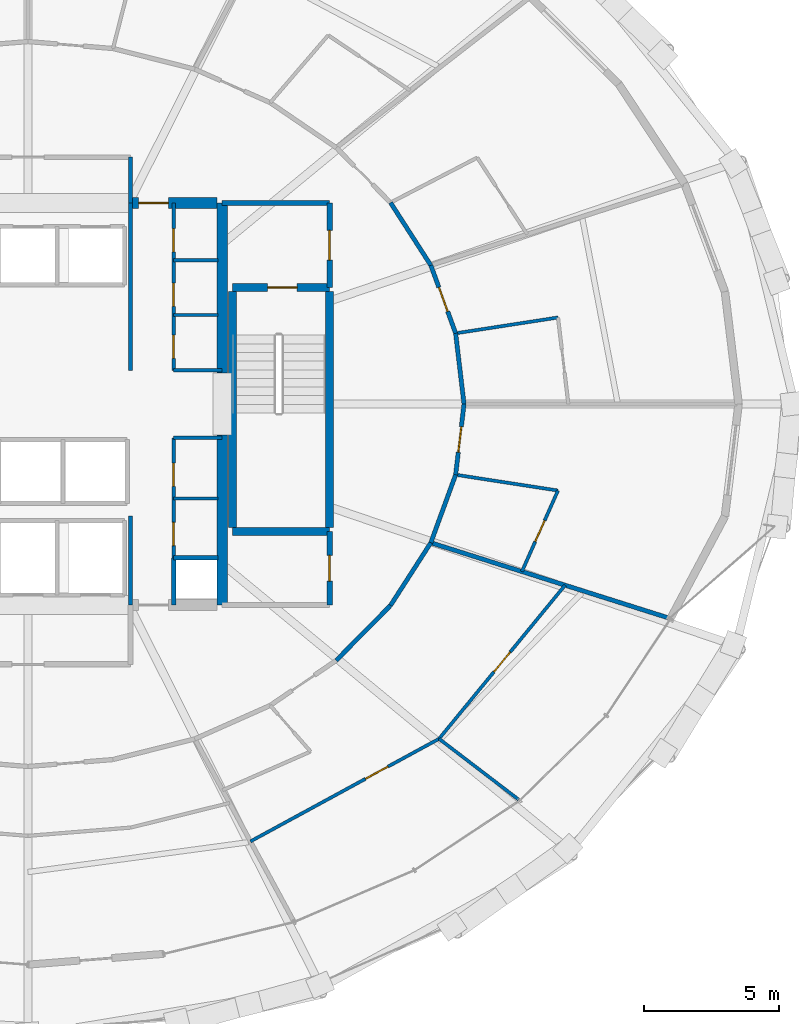
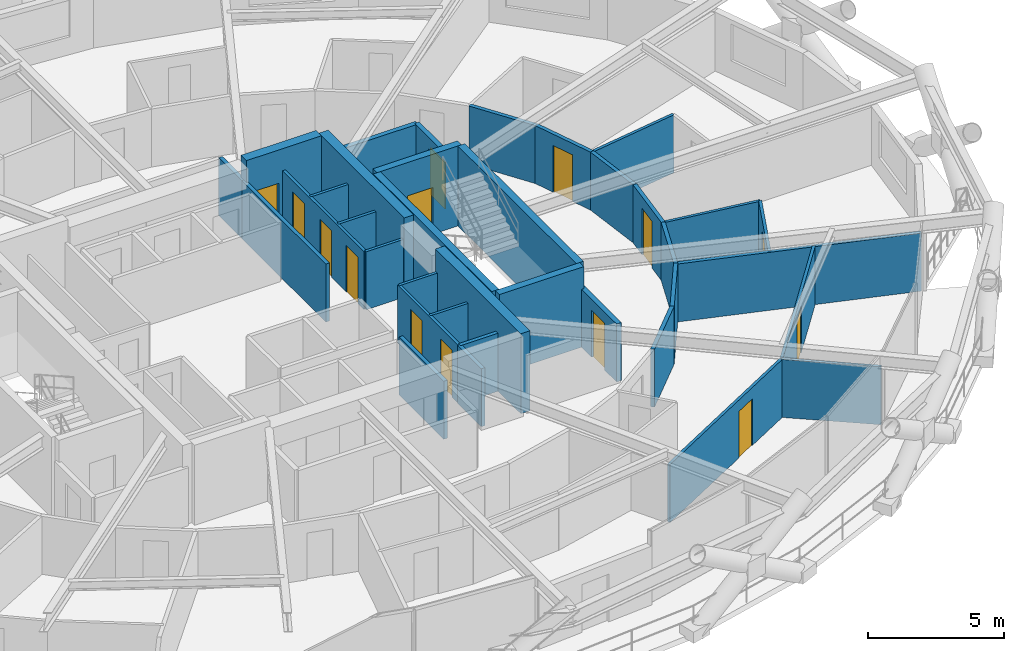
# One storey, part 16 of 20: 36 walls, 14 doors, 14 openings.
"""IFC4 building model written with IfcOpenShell, lengths in metres."""

from ifc_helpers import new_model, si_unit, direction, frame, frame_2d, origin, place, context, subcontext, project, spatial, rectangle, extrude, material, layer, layer_set, type_object, element, fill, save


model = new_model("IFC4")

# Units and contexts
model_context = context("Model", 3, precision=1e-05, world=origin(), true_north=direction((0.0, 1.0)))
body_context = subcontext(model_context, "Body", "Model", "MODEL_VIEW")
ifc_project = project(units=[si_unit("LENGTHUNIT", "METRE"), si_unit("AREAUNIT", "SQUARE_METRE"), si_unit("VOLUMEUNIT", "CUBIC_METRE"), si_unit("PLANEANGLEUNIT", "RADIAN"), si_unit("MASSUNIT", "GRAM", prefix="KILO")], contexts=[model_context])

# Site, building, storey
site_placement = place(None, origin())
site = spatial("IfcSite", under=ifc_project, at=site_placement, CompositionType="ELEMENT")
building_placement = place(site_placement, origin())
building = spatial("IfcBuilding", under=site, at=building_placement, Name="Veldorina Hangang Commons", CompositionType="ELEMENT")
storey_placement = place(building_placement, frame((0.0, 0.0, 48.39990234375)))
storey = spatial("IfcBuildingStorey", under=building, at=storey_placement, Name="L11", CompositionType="ELEMENT", Elevation=48.39990234375)

# Walls
ifc_material_1 = material(Name="Concrete C70/85", Category="concrete")
ifc_layer_1 = layer(ifc_material_1, 0.39990234375)
ifc_layer_set_1 = layer_set([ifc_layer_1], Name="Concrete C70/85")
wall_type_1 = type_object("IfcWallType", Name="CW-RC400-C70", PredefinedType="SHEAR", material=ifc_layer_set_1)
for number, where, z_axis, x_axis, name in (
    (1, (39.199951171875, 16.550048828125, 0.0), (0.0, 0.0, 1.0), (0.0, 1.0, 0.0), "L11 E south core shear wall"),
    (2, (39.199951171875, 25.14990234375, 0.0), (0.0, 0.0, 1.0), (0.0, 1.0, 0.0), "L11 E north core shear wall"),
):
    element("IfcWall", number, at=place(storey_placement, frame(where, z_axis=z_axis, x_axis=x_axis)), inside=storey, type_object=wall_type_1, Name=name, PredefinedType="SHEAR", context=body_context, shape_type="SweptSolid", body=[
        extrude(rectangle(XDim=6.300048828125, YDim=0.39990234375, at=frame_2d((3.14990234375, 0.0))), origin(), (0.0, 0.0, 1.0), 3.60009765625),
    ])

# Wall, opening, door
wall_1_placement = place(storey_placement, frame((35.800048828125, 31.449951171875, 0.0), z_axis=(0.0, 0.0, 1.0), x_axis=(1.0, 0.0, 0.0)))
wall_1 = element("IfcWall", 3, at=wall_1_placement, inside=storey, type_object=wall_type_1, Name="L11 north-east core shear wall", PredefinedType="SHEAR", context=body_context, shape_type="SweptSolid", body=[
    extrude(rectangle(XDim=3.199951171875, YDim=0.39990234375, at=frame_2d((1.60009765625, 0.0))), origin(), (0.0, 0.0, 1.0), 3.60009765625),
])
opening_1_placement = place(wall_1_placement, frame((0.300048828125, 0.0, 0.0)))
opening_1 = element("IfcOpeningElement", 4, at=opening_1_placement, cuts=wall_1, Name="Opening D-08", PredefinedType="OPENING", context=body_context, shape_type="SweptSolid", body=[
    extrude(rectangle(XDim=1.10009765625, YDim=2.10009765625, at=frame_2d((0.550048828125, 1.050048828125))), frame((0.0, 0.2099609375, 0.0), z_axis=(0.0, -1.0, 0.0), x_axis=(1.0, 0.0, 0.0)), (0.0, 0.0, 1.0), 0.419921875),
])
ifc_material_2 = material(Name="Steel Fire-Rated Smoke Seal", Category="steel")
door_type_1 = type_object("IfcDoorType", Name="DR-FIRE-1100", OperationType="SINGLE_SWING_RIGHT", PredefinedType="DOOR", material=ifc_material_2)
door_1_placement = place(opening_1_placement, origin())
door_1 = element("IfcDoor", 5, at=door_1_placement, inside=storey, type_object=door_type_1, Name="L11 central lift lobby north corridor door", OperationType="SINGLE_SWING_LEFT", OverallHeight=2.10009765625, OverallWidth=1.10009765625, PredefinedType="DOOR", context=body_context, shape_type="SweptSolid", body=[
    extrude(rectangle(XDim=1.10009765625, YDim=2.10009765625, at=frame_2d((0.550048828125, 1.050048828125))), frame((0.0, 0.02490234375, 0.0), z_axis=(0.0, -1.0, 0.0), x_axis=(1.0, 0.0, 0.0)), (0.0, 0.0, 1.0), 0.050048828125),
])
fill(opening_1, door_1)

# Walls
ifc_material_3 = material(Name="Concrete C50/60", Category="concrete")
ifc_layer_2 = layer(ifc_material_3, 0.300048828125)
ifc_layer_set_2 = layer_set([ifc_layer_2], Name="Concrete C50/60")
wall_type_2 = type_object("IfcWallType", Name="SW-STAIR-300", PredefinedType="SHEAR", material=ifc_layer_set_2)
for number, where, z_axis, x_axis, name in (
    (6, (43.179931640625, 19.429931640625, 0.0), (0.0, 0.0, 1.0), (0.0, 1.0, 0.0), "L11 ST2 outer stair shear wall"),
    (7, (39.580078125, 19.429931640625, 0.0), (0.0, 0.0, 1.0), (0.0, 1.0, 0.0), "L11 ST2 inner stair shear wall"),
):
    element("IfcWall", number, at=place(storey_placement, frame(where, z_axis=z_axis, x_axis=x_axis)), inside=storey, type_object=wall_type_2, Name=name, PredefinedType="SHEAR", context=body_context, shape_type="SweptSolid", body=[
        extrude(rectangle(XDim=8.739990234375, YDim=0.300048828125, at=frame_2d((4.3701171875, 0.0))), origin(), (0.0, 0.0, 1.0), 3.60009765625),
    ])
wall_2_placement = place(storey_placement, frame((39.580078125, 19.280029296875, 0.0), z_axis=(0.0, 0.0, 1.0), x_axis=(1.0, 0.0, 0.0)))
element("IfcWall", 8, at=wall_2_placement, inside=storey, type_object=wall_type_2, Name="L11 ST2 south stair shear wall", PredefinedType="SHEAR", context=body_context, shape_type="SweptSolid", body=[
    extrude(rectangle(XDim=3.599853515625, YDim=0.300048828125, at=frame_2d((1.7998046875, 0.0))), origin(), (0.0, 0.0, 1.0), 3.60009765625),
])

# Wall, opening, door
wall_3_placement = place(storey_placement, frame((39.580078125, 28.320068359375, 0.0), z_axis=(0.0, 0.0, 1.0), x_axis=(1.0, 0.0, 0.0)))
wall_3 = element("IfcWall", 9, at=wall_3_placement, inside=storey, type_object=wall_type_2, Name="L11 ST2 north stair shear wall", PredefinedType="SHEAR", context=body_context, shape_type="SweptSolid", body=[
    extrude(rectangle(XDim=3.599853515625, YDim=0.300048828125, at=frame_2d((1.7998046875, 0.0))), origin(), (0.0, 0.0, 1.0), 3.60009765625),
])
opening_2_placement = place(wall_3_placement, frame((1.300048828125, 0.0, 0.0)))
opening_2 = element("IfcOpeningElement", 10, at=opening_2_placement, cuts=wall_3, Name="Opening D-08", PredefinedType="OPENING", context=body_context, shape_type="SweptSolid", body=[
    extrude(rectangle(XDim=1.10009765625, YDim=2.10009765625, at=frame_2d((0.550048828125, 1.050048828125))), frame((0.0, 0.16015625, 0.0), z_axis=(0.0, -1.0, 0.0), x_axis=(1.0, 0.0, 0.0)), (0.0, 0.0, 1.0), 0.320068359375),
])
door_2_placement = place(opening_2_placement, origin())
door_2 = element("IfcDoor", 11, at=door_2_placement, inside=storey, type_object=door_type_1, Name="L11 Special Escape Stair ST-2 door", OperationType="SINGLE_SWING_RIGHT", OverallHeight=2.10009765625, OverallWidth=1.10009765625, PredefinedType="DOOR", context=body_context, shape_type="SweptSolid", body=[
    extrude(rectangle(XDim=1.10009765625, YDim=2.10009765625, at=frame_2d((0.550048828125, 1.050048828125))), frame((0.0, 0.02490234375, 0.0), z_axis=(0.0, -1.0, 0.0), x_axis=(1.0, 0.0, 0.0)), (0.0, 0.0, 1.0), 0.050048828125),
])
fill(opening_2, door_2)

# Walls
ifc_material_4 = material(Name="Gypsum Fire-Rated Twin Stud Wall", Category="gypsum")
ifc_layer_3 = layer(ifc_material_4, 0.159912109375)
ifc_layer_set_3 = layer_set([ifc_layer_3], Name="Gypsum Fire-Rated Twin Stud Wall")
wall_type_3 = type_object("IfcWallType", Name="WL-FIRE-160", PredefinedType="SOLIDWALL", material=ifc_layer_set_3)
wall_4_placement = place(storey_placement, frame((35.800048828125, 16.550048828125, 0.0), z_axis=(0.0, 0.0, 1.0), x_axis=(0.0, 1.0, 0.0)))
element("IfcWall", 12, at=wall_4_placement, inside=storey, type_object=wall_type_3, Name="L11 Lift passage SW wall 009", PredefinedType="SOLIDWALL", context=body_context, shape_type="SweptSolid", body=[
    extrude(rectangle(XDim=3.300048828125, YDim=0.159912109375, at=frame_2d((1.64990234375, 0.0))), origin(), (0.0, 0.0, 1.0), 2.610107421875),
])
wall_5_placement = place(storey_placement, frame((37.39990234375, 16.550048828125, 0.0), z_axis=(0.0, 0.0, 1.0), x_axis=(0.0, 1.0, 0.0)))
element("IfcWall", 13, at=wall_5_placement, inside=storey, type_object=wall_type_3, Name="L11 Lift passage SE stub 010", PredefinedType="SOLIDWALL", context=body_context, shape_type="SweptSolid", body=[
    extrude(rectangle(XDim=1.75, YDim=0.159912109375, at=frame_2d((0.875, 0.0))), origin(), (0.0, 0.0, 1.0), 2.610107421875),
])
wall_6_placement = place(storey_placement, frame((35.800048828125, 25.25, 0.0), z_axis=(0.0, 0.0, 1.0), x_axis=(0.0, 1.0, 0.0)))
element("IfcWall", 14, at=wall_6_placement, inside=storey, type_object=wall_type_3, Name="L11 Lift passage NW wall 011", PredefinedType="SOLIDWALL", context=body_context, shape_type="SweptSolid", body=[
    extrude(rectangle(XDim=6.199951171875, YDim=0.159912109375, at=frame_2d((3.10009765625, 0.0))), origin(), (0.0, 0.0, 1.0), 2.610107421875),
])
wall_7_placement = place(storey_placement, frame((35.800048828125, 31.449951171875, 0.0), z_axis=(0.0, 0.0, 1.0), x_axis=(0.0, 1.0, 0.0)))
element("IfcWall", 15, at=wall_7_placement, inside=storey, type_object=wall_type_3, Name="L11 North lobby east wall 033", PredefinedType="SOLIDWALL", context=body_context, shape_type="SweptSolid", body=[
    extrude(rectangle(XDim=1.699951171875, YDim=0.159912109375, at=frame_2d((0.85009765625, 0.0))), origin(), (0.0, 0.0, 1.0), 2.610107421875),
])
wall_8_placement = place(storey_placement, frame((37.39990234375, 18.300048828125, 0.0), z_axis=(0.0, 0.0, 1.0), x_axis=(1.0, 0.0, 0.0)))
element("IfcWall", 16, at=wall_8_placement, inside=storey, type_object=wall_type_3, Name="L11 Plumbing riser wall 037", PredefinedType="SOLIDWALL", context=body_context, shape_type="SweptSolid", body=[
    extrude(rectangle(XDim=1.650146484375, YDim=0.159912109375, at=frame_2d((0.8251953125, 0.0))), origin(), (0.0, 0.0, 1.0), 2.610107421875),
])
wall_9_placement = place(storey_placement, frame((48.162109375, 24.0, 0.0), z_axis=(0.0, 0.0, 1.0), x_axis=(-0.117667763342, 0.993053018459, 0.0)))
element("IfcWall", 17, at=wall_9_placement, inside=storey, type_object=wall_type_3, Name="L11 Corridor outer wall 00 050", PredefinedType="SOLIDWALL", context=body_context, shape_type="SweptSolid", body=[
    extrude(rectangle(XDim=2.63916015625, YDim=0.159912109375, at=frame_2d((1.319580078125, 0.0))), origin(), (0.0, 0.0, 1.0), 2.610107421875),
])

# Wall, opening, door
wall_10_placement = place(storey_placement, frame((47.8515625, 26.620849609375, 0.0), z_axis=(0.0, 0.0, 1.0), x_axis=(-0.342882618672, 0.939378257047, 0.0)))
wall_10 = element("IfcWall", 18, at=wall_10_placement, inside=storey, type_object=wall_type_3, Name="L11 Corridor outer wall 01 051", PredefinedType="SOLIDWALL", context=body_context, shape_type="SweptSolid", body=[
    extrude(rectangle(XDim=2.682861328125, YDim=0.159912109375, at=frame_2d((1.34130859375, 0.0))), origin(), (0.0, 0.0, 1.0), 2.610107421875),
])
opening_3_placement = place(wall_10_placement, frame((0.866455078125, 0.0, 0.0)))
opening_3 = element("IfcOpeningElement", 19, at=opening_3_placement, cuts=wall_10, Name="Opening D-03", PredefinedType="OPENING", context=body_context, shape_type="SweptSolid", body=[
    extrude(rectangle(XDim=0.949951171875, YDim=2.10009765625, at=frame_2d((0.47509765625, 1.050048828125))), frame((0.0, 0.08984375, 0.0), z_axis=(0.0, -1.0, 0.0), x_axis=(1.0, 0.0, 0.0)), (0.0, 0.0, 1.0), 0.179931640625),
])
ifc_material_5 = material(Name="Timber Fire-Rated Entrance Core", Category="wood")
door_type_2 = type_object("IfcDoorType", Name="DR-UNIT-950", OperationType="SINGLE_SWING_RIGHT", PredefinedType="DOOR", material=ifc_material_5)
door_3_placement = place(opening_3_placement, origin())
door_3 = element("IfcDoor", 20, at=door_3_placement, inside=storey, type_object=door_type_2, Name="L11 Studio 4 entrance door 031", OperationType="SINGLE_SWING_LEFT", OverallHeight=2.10009765625, OverallWidth=0.949951171875, PredefinedType="DOOR", context=body_context, shape_type="SweptSolid", body=[
    extrude(rectangle(XDim=0.949951171875, YDim=2.10009765625, at=frame_2d((0.47509765625, 1.050048828125))), frame((0.0, 0.02490234375, 0.0), z_axis=(0.0, -1.0, 0.0), x_axis=(1.0, 0.0, 0.0)), (0.0, 0.0, 1.0), 0.050048828125),
])
fill(opening_3, door_3)

# Walls
wall_11_placement = place(storey_placement, frame((46.931640625, 29.14111328125, 0.0), z_axis=(0.0, 0.0, 1.0), x_axis=(-0.540891657444, 0.841092274907, 0.0)))
element("IfcWall", 21, at=wall_11_placement, inside=storey, type_object=wall_type_3, Name="L11 Corridor outer wall 02 052", PredefinedType="SOLIDWALL", context=body_context, shape_type="SweptSolid", body=[
    extrude(rectangle(XDim=2.760986328125, YDim=0.159912109375, at=frame_2d((1.38037109375, 0.0))), origin(), (0.0, 0.0, 1.0), 2.610107421875),
])
wall_12_placement = place(storey_placement, frame((43.42822265625, 14.500732421875, 0.0), z_axis=(0.0, 0.0, 1.0), x_axis=(0.702569520063, 0.711615113301, 0.0)))
element("IfcWall", 22, at=wall_12_placement, inside=storey, type_object=wall_type_3, Name="L11 Corridor outer wall 28 078", PredefinedType="SOLIDWALL", context=body_context, shape_type="SweptSolid", body=[
    extrude(rectangle(XDim=2.86083984375, YDim=0.159912109375, at=frame_2d((1.430419921875, 0.0))), origin(), (0.0, 0.0, 1.0), 2.610107421875),
])
wall_13_placement = place(storey_placement, frame((45.438232421875, 16.53662109375, 0.0), z_axis=(0.0, 0.0, 1.0), x_axis=(0.540891657444, 0.841092274907, 0.0)))
element("IfcWall", 23, at=wall_13_placement, inside=storey, type_object=wall_type_3, Name="L11 Corridor outer wall 29 079", PredefinedType="SOLIDWALL", context=body_context, shape_type="SweptSolid", body=[
    extrude(rectangle(XDim=2.760986328125, YDim=0.159912109375, at=frame_2d((1.38037109375, 0.0))), origin(), (0.0, 0.0, 1.0), 2.610107421875),
])
wall_14_placement = place(storey_placement, frame((46.931640625, 18.85888671875, 0.0), z_axis=(0.0, 0.0, 1.0), x_axis=(0.342882618672, 0.939378257047, 0.0)))
element("IfcWall", 24, at=wall_14_placement, inside=storey, type_object=wall_type_3, Name="L11 Corridor outer wall 30 080", PredefinedType="SOLIDWALL", context=body_context, shape_type="SweptSolid", body=[
    extrude(rectangle(XDim=2.682861328125, YDim=0.159912109375, at=frame_2d((1.34130859375, 0.0))), origin(), (0.0, 0.0, 1.0), 2.610107421875),
])

# Wall, opening, door
wall_15_placement = place(storey_placement, frame((47.8515625, 21.379150390625, 0.0), z_axis=(0.0, 0.0, 1.0), x_axis=(0.117667763342, 0.993053018459, 0.0)))
wall_15 = element("IfcWall", 25, at=wall_15_placement, inside=storey, type_object=wall_type_3, Name="L11 Corridor outer wall 31 081", PredefinedType="SOLIDWALL", context=body_context, shape_type="SweptSolid", body=[
    extrude(rectangle(XDim=2.63916015625, YDim=0.159912109375, at=frame_2d((1.319580078125, 0.0))), origin(), (0.0, 0.0, 1.0), 2.610107421875),
])
opening_4_placement = place(wall_15_placement, frame((0.844482421875, 0.0, 0.0)))
opening_4 = element("IfcOpeningElement", 26, at=opening_4_placement, cuts=wall_15, Name="Opening D-03", PredefinedType="OPENING", context=body_context, shape_type="SweptSolid", body=[
    extrude(rectangle(XDim=0.949951171875, YDim=2.10009765625, at=frame_2d((0.47509765625, 1.050048828125))), frame((0.0, 0.08984375, 0.0), z_axis=(0.0, -1.0, 0.0), x_axis=(1.0, 0.0, 0.0)), (0.0, 0.0, 1.0), 0.179931640625),
])
door_4_placement = place(opening_4_placement, origin())
door_4 = element("IfcDoor", 27, at=door_4_placement, inside=storey, type_object=door_type_2, Name="L11 Studio 3 entrance door 029", OperationType="SINGLE_SWING_LEFT", OverallHeight=2.10009765625, OverallWidth=0.949951171875, PredefinedType="DOOR", context=body_context, shape_type="SweptSolid", body=[
    extrude(rectangle(XDim=0.949951171875, YDim=2.10009765625, at=frame_2d((0.47509765625, 1.050048828125))), frame((0.0, 0.02490234375, 0.0), z_axis=(0.0, -1.0, 0.0), x_axis=(1.0, 0.0, 0.0)), (0.0, 0.0, 1.0), 0.050048828125),
])
fill(opening_4, door_4)

# Wall
wall_16_placement = place(storey_placement, frame((46.931640625, 18.85888671875, 0.0), z_axis=(0.0, 0.0, 1.0), x_axis=(0.953436442202, -0.301594016322, 0.0)))
element("IfcWall", 28, at=wall_16_placement, inside=storey, type_object=wall_type_3, Name="L11 Unit party wall 30 092", PredefinedType="SOLIDWALL", context=body_context, shape_type="SweptSolid", body=[
    extrude(rectangle(XDim=9.26806640625, YDim=0.159912109375, at=frame_2d((4.634033203125, 0.0))), origin(), (0.0, 0.0, 1.0), 2.610107421875),
])

# Wall, opening, door
ifc_material_6 = material(Name="Concrete Blockwork Fire Wall C30/37", Category="masonry")
ifc_layer_4 = layer(ifc_material_6, 0.199951171875)
ifc_layer_set_4 = layer_set([ifc_layer_4], Name="Concrete Blockwork Fire Wall C30/37")
wall_type_4 = type_object("IfcWallType", Name="WL-FIRE-200", PredefinedType="SOLIDWALL", material=ifc_layer_set_4)
wall_17_placement = place(storey_placement, frame((43.179931640625, 28.320068359375, 0.0), z_axis=(0.0, 0.0, 1.0), x_axis=(0.0, 1.0, 0.0)))
wall_17 = element("IfcWall", 29, at=wall_17_placement, inside=storey, type_object=wall_type_4, Name="L11 East vestibule outer wall 003", PredefinedType="SOLIDWALL", context=body_context, shape_type="SweptSolid", body=[
    extrude(rectangle(XDim=3.1298828125, YDim=0.199951171875, at=frame_2d((1.56494140625, 0.0))), origin(), (0.0, 0.0, 1.0), 2.610107421875),
])
opening_5_placement = place(wall_17_placement, frame((1.014892578125, 0.0, 0.0)))
opening_5 = element("IfcOpeningElement", 30, at=opening_5_placement, cuts=wall_17, Name="Opening D-08", PredefinedType="OPENING", context=body_context, shape_type="SweptSolid", body=[
    extrude(rectangle(XDim=1.10009765625, YDim=2.10009765625, at=frame_2d((0.550048828125, 1.050048828125))), frame((0.0, 0.10986328125, 0.0), z_axis=(0.0, -1.0, 0.0), x_axis=(1.0, 0.0, 0.0)), (0.0, 0.0, 1.0), 0.219970703125),
])
door_5_placement = place(opening_5_placement, origin())
door_5 = element("IfcDoor", 31, at=door_5_placement, inside=storey, type_object=door_type_1, Name="L11 East vestibule east door 002", OperationType="SINGLE_SWING_RIGHT", OverallHeight=2.10009765625, OverallWidth=1.10009765625, PredefinedType="DOOR", context=body_context, shape_type="SweptSolid", body=[
    extrude(rectangle(XDim=1.10009765625, YDim=2.10009765625, at=frame_2d((0.550048828125, 1.050048828125))), frame((0.0, 0.02490234375, 0.0), z_axis=(0.0, -1.0, 0.0), x_axis=(1.0, 0.0, 0.0)), (0.0, 0.0, 1.0), 0.050048828125),
])
fill(opening_5, door_5)

# Wall
wall_18_placement = place(storey_placement, frame((39.199951171875, 31.449951171875, 0.0), z_axis=(0.0, 0.0, 1.0), x_axis=(1.0, 0.0, 0.0)))
element("IfcWall", 32, at=wall_18_placement, inside=storey, type_object=wall_type_4, Name="L11 East vestibule north wall 004", PredefinedType="SOLIDWALL", context=body_context, shape_type="SweptSolid", body=[
    extrude(rectangle(XDim=3.97998046875, YDim=0.199951171875, at=frame_2d((1.989990234375, 0.0))), origin(), (0.0, 0.0, 1.0), 2.610107421875),
])

# Wall, opening, door
wall_19_placement = place(storey_placement, frame((43.179931640625, 16.550048828125, 0.0), z_axis=(0.0, 0.0, 1.0), x_axis=(0.0, 1.0, 0.0)))
wall_19 = element("IfcWall", 33, at=wall_19_placement, inside=storey, type_object=wall_type_4, Name="L11 SE core room outer wall 007", PredefinedType="SOLIDWALL", context=body_context, shape_type="SweptSolid", body=[
    extrude(rectangle(XDim=2.72998046875, YDim=0.199951171875, at=frame_2d((1.364990234375, 0.0))), origin(), (0.0, 0.0, 1.0), 2.610107421875),
])
opening_6_placement = place(wall_19_placement, frame((0.889892578125, 0.0, 0.0)))
opening_6 = element("IfcOpeningElement", 34, at=opening_6_placement, cuts=wall_19, Name="Opening D-02", PredefinedType="OPENING", context=body_context, shape_type="SweptSolid", body=[
    extrude(rectangle(XDim=0.949951171875, YDim=2.10009765625, at=frame_2d((0.47509765625, 1.050048828125))), frame((0.0, 0.10986328125, 0.0), z_axis=(0.0, -1.0, 0.0), x_axis=(1.0, 0.0, 0.0)), (0.0, 0.0, 1.0), 0.219970703125),
])
ifc_material_7 = material(Name="Timber Solid Core Acoustic", Category="wood")
door_type_3 = type_object("IfcDoorType", Name="DR-INT-950", OperationType="SINGLE_SWING_LEFT", PredefinedType="DOOR", material=ifc_material_7)
door_6_placement = place(opening_6_placement, origin())
door_6 = element("IfcDoor", 35, at=door_6_placement, inside=storey, type_object=door_type_3, Name="L11 SE core WC door 004", OperationType="SINGLE_SWING_RIGHT", OverallHeight=2.10009765625, OverallWidth=0.949951171875, PredefinedType="DOOR", context=body_context, shape_type="SweptSolid", body=[
    extrude(rectangle(XDim=0.949951171875, YDim=2.10009765625, at=frame_2d((0.47509765625, 1.050048828125))), frame((0.0, 0.02490234375, 0.0), z_axis=(0.0, -1.0, 0.0), x_axis=(1.0, 0.0, 0.0)), (0.0, 0.0, 1.0), 0.050048828125),
])
fill(opening_6, door_6)

# Wall, openings, doors
ifc_material_8 = material(Name="Gypsum Acoustic Stud Partition", Category="gypsum")
ifc_layer_5 = layer(ifc_material_8, 0.1201171875)
ifc_layer_set_5 = layer_set([ifc_layer_5], Name="Gypsum Acoustic Stud Partition")
wall_type_5 = type_object("IfcWallType", Name="WL-PART-120", PredefinedType="PARTITIONING", material=ifc_layer_set_5)
wall_20_placement = place(storey_placement, frame((37.39990234375, 25.25, 0.0), z_axis=(0.0, 0.0, 1.0), x_axis=(0.0, 1.0, 0.0)))
wall_20 = element("IfcWall", 36, at=wall_20_placement, inside=storey, type_object=wall_type_5, Name="L11 NE strip lobby wall 041", PredefinedType="PARTITIONING", context=body_context, shape_type="SweptSolid", body=[
    extrude(rectangle(XDim=6.199951171875, YDim=0.1201171875, at=frame_2d((3.10009765625, 0.0))), origin(), (0.0, 0.0, 1.0), 2.610107421875),
])
opening_7_placement = place(wall_20_placement, frame((0.43994140625, 0.0, 0.0)))
opening_7 = element("IfcOpeningElement", 37, at=opening_7_placement, cuts=wall_20, Name="Opening D-01", PredefinedType="OPENING", context=body_context, shape_type="SweptSolid", body=[
    extrude(rectangle(XDim=0.860107421875, YDim=2.10009765625, at=frame_2d((0.43017578125, 1.050048828125))), frame((0.0, 0.070068359375, 0.0), z_axis=(0.0, -1.0, 0.0), x_axis=(1.0, 0.0, 0.0)), (0.0, 0.0, 1.0), 0.14013671875),
])
opening_8_placement = place(wall_20_placement, frame((2.3701171875, 0.0, 0.0)))
opening_8 = element("IfcOpeningElement", 38, at=opening_8_placement, cuts=wall_20, Name="Opening D-01", PredefinedType="OPENING", context=body_context, shape_type="SweptSolid", body=[
    extrude(rectangle(XDim=0.860107421875, YDim=2.10009765625, at=frame_2d((0.43017578125, 1.050048828125))), frame((0.0, 0.070068359375, 0.0), z_axis=(0.0, -1.0, 0.0), x_axis=(1.0, 0.0, 0.0)), (0.0, 0.0, 1.0), 0.14013671875),
])
opening_9_placement = place(wall_20_placement, frame((4.389892578125, 0.0, 0.0)))
opening_9 = element("IfcOpeningElement", 39, at=opening_9_placement, cuts=wall_20, Name="Opening D-01", PredefinedType="OPENING", context=body_context, shape_type="SweptSolid", body=[
    extrude(rectangle(XDim=0.860107421875, YDim=2.10009765625, at=frame_2d((0.43017578125, 1.050048828125))), frame((0.0, 0.070068359375, 0.0), z_axis=(0.0, -1.0, 0.0), x_axis=(1.0, 0.0, 0.0)), (0.0, 0.0, 1.0), 0.14013671875),
])
ifc_material_9 = material(Name="Timber Moisture-Resistant Core", Category="wood")
door_type_4 = type_object("IfcDoorType", Name="DR-WET-860", OperationType="SINGLE_SWING_LEFT", PredefinedType="DOOR", material=ifc_material_9)
door_7_placement = place(opening_7_placement, origin())
door_7 = element("IfcDoor", 40, at=door_7_placement, inside=storey, type_object=door_type_4, Name="L11 Fiber Riser Closet door 017", OperationType="SINGLE_SWING_LEFT", OverallHeight=2.10009765625, OverallWidth=0.860107421875, PredefinedType="DOOR", context=body_context, shape_type="SweptSolid", body=[
    extrude(rectangle(XDim=0.860107421875, YDim=2.10009765625, at=frame_2d((0.43017578125, 1.050048828125))), frame((0.0, 0.02490234375, 0.0), z_axis=(0.0, -1.0, 0.0), x_axis=(1.0, 0.0, 0.0)), (0.0, 0.0, 1.0), 0.050048828125),
])
fill(opening_7, door_7)
door_8_placement = place(opening_8_placement, origin())
door_8 = element("IfcDoor", 41, at=door_8_placement, inside=storey, type_object=door_type_4, Name="L11 AV Rack Closet door 018", OperationType="SINGLE_SWING_RIGHT", OverallHeight=2.10009765625, OverallWidth=0.860107421875, PredefinedType="DOOR", context=body_context, shape_type="SweptSolid", body=[
    extrude(rectangle(XDim=0.860107421875, YDim=2.10009765625, at=frame_2d((0.43017578125, 1.050048828125))), frame((0.0, 0.02490234375, 0.0), z_axis=(0.0, -1.0, 0.0), x_axis=(1.0, 0.0, 0.0)), (0.0, 0.0, 1.0), 0.050048828125),
])
fill(opening_8, door_8)
door_9_placement = place(opening_9_placement, origin())
door_9 = element("IfcDoor", 42, at=door_9_placement, inside=storey, type_object=door_type_4, Name="L11 Supply Closet door 019", OperationType="SINGLE_SWING_LEFT", OverallHeight=2.10009765625, OverallWidth=0.860107421875, PredefinedType="DOOR", context=body_context, shape_type="SweptSolid", body=[
    extrude(rectangle(XDim=0.860107421875, YDim=2.10009765625, at=frame_2d((0.43017578125, 1.050048828125))), frame((0.0, 0.02490234375, 0.0), z_axis=(0.0, -1.0, 0.0), x_axis=(1.0, 0.0, 0.0)), (0.0, 0.0, 1.0), 0.050048828125),
])
fill(opening_9, door_9)

# Wall
wall_21_placement = place(storey_placement, frame((37.39990234375, 25.25, 0.0), z_axis=(0.0, 0.0, 1.0), x_axis=(1.0, 0.0, 0.0)))
element("IfcWall", 43, at=wall_21_placement, inside=storey, type_object=wall_type_5, Name="L11 NE strip south return wall 042", PredefinedType="PARTITIONING", context=body_context, shape_type="SweptSolid", body=[
    extrude(rectangle(XDim=1.800048828125, YDim=0.1201171875, at=frame_2d((0.89990234375, 0.0))), origin(), (0.0, 0.0, 1.0), 2.610107421875),
])

# Wall, openings, doors
wall_22_placement = place(storey_placement, frame((37.39990234375, 18.300048828125, 0.0), z_axis=(0.0, 0.0, 1.0), x_axis=(0.0, 1.0, 0.0)))
wall_22 = element("IfcWall", 44, at=wall_22_placement, inside=storey, type_object=wall_type_5, Name="L11 SE strip lobby wall 043", PredefinedType="PARTITIONING", context=body_context, shape_type="SweptSolid", body=[
    extrude(rectangle(XDim=4.449951171875, YDim=0.1201171875, at=frame_2d((2.22509765625, 0.0))), origin(), (0.0, 0.0, 1.0), 2.610107421875),
])
opening_10_placement = place(wall_22_placement, frame((0.449951171875, 0.0, 0.0)))
opening_10 = element("IfcOpeningElement", 45, at=opening_10_placement, cuts=wall_22, Name="Opening D-01", PredefinedType="OPENING", context=body_context, shape_type="SweptSolid", body=[
    extrude(rectangle(XDim=0.860107421875, YDim=2.10009765625, at=frame_2d((0.43017578125, 1.050048828125))), frame((0.0, 0.070068359375, 0.0), z_axis=(0.0, -1.0, 0.0), x_axis=(1.0, 0.0, 0.0)), (0.0, 0.0, 1.0), 0.14013671875),
])
opening_11_placement = place(wall_22_placement, frame((2.64990234375, 0.0, 0.0)))
opening_11 = element("IfcOpeningElement", 46, at=opening_11_placement, cuts=wall_22, Name="Opening D-01", PredefinedType="OPENING", context=body_context, shape_type="SweptSolid", body=[
    extrude(rectangle(XDim=0.860107421875, YDim=2.10009765625, at=frame_2d((0.43017578125, 1.050048828125))), frame((0.0, 0.070068359375, 0.0), z_axis=(0.0, -1.0, 0.0), x_axis=(1.0, 0.0, 0.0)), (0.0, 0.0, 1.0), 0.14013671875),
])
door_10_placement = place(opening_10_placement, origin())
door_10 = element("IfcDoor", 47, at=door_10_placement, inside=storey, type_object=door_type_4, Name="L11 Janitor sink door 020", OperationType="SINGLE_SWING_RIGHT", OverallHeight=2.10009765625, OverallWidth=0.860107421875, PredefinedType="DOOR", context=body_context, shape_type="SweptSolid", body=[
    extrude(rectangle(XDim=0.860107421875, YDim=2.10009765625, at=frame_2d((0.43017578125, 1.050048828125))), frame((0.0, 0.02490234375, 0.0), z_axis=(0.0, -1.0, 0.0), x_axis=(1.0, 0.0, 0.0)), (0.0, 0.0, 1.0), 0.050048828125),
])
fill(opening_10, door_10)
door_11_placement = place(opening_11_placement, origin())
door_11 = element("IfcDoor", 48, at=door_11_placement, inside=storey, type_object=door_type_4, Name="L11 Fire panel door 021", OperationType="SINGLE_SWING_LEFT", OverallHeight=2.10009765625, OverallWidth=0.860107421875, PredefinedType="DOOR", context=body_context, shape_type="SweptSolid", body=[
    extrude(rectangle(XDim=0.860107421875, YDim=2.10009765625, at=frame_2d((0.43017578125, 1.050048828125))), frame((0.0, 0.02490234375, 0.0), z_axis=(0.0, -1.0, 0.0), x_axis=(1.0, 0.0, 0.0)), (0.0, 0.0, 1.0), 0.050048828125),
])
fill(opening_11, door_11)

# Walls
wall_23_placement = place(storey_placement, frame((37.39990234375, 22.75, 0.0), z_axis=(0.0, 0.0, 1.0), x_axis=(1.0, 0.0, 0.0)))
element("IfcWall", 49, at=wall_23_placement, inside=storey, type_object=wall_type_5, Name="L11 SE strip north return wall 044", PredefinedType="PARTITIONING", context=body_context, shape_type="SweptSolid", body=[
    extrude(rectangle(XDim=1.800048828125, YDim=0.1201171875, at=frame_2d((0.89990234375, 0.0))), origin(), (0.0, 0.0, 1.0), 2.610107421875),
])
for number, where, z_axis, x_axis, name in (
    (50, (37.39990234375, 27.300048828125, 0.0), (0.0, 0.0, 1.0), (1.0, 0.0, 0.0), "L11 NE split 1 047"),
    (51, (37.39990234375, 29.330078125, 0.0), (0.0, 0.0, 1.0), (1.0, 0.0, 0.0), "L11 NE split 2 048"),
    (52, (37.39990234375, 20.5, 0.0), (0.0, 0.0, 1.0), (1.0, 0.0, 0.0), "L11 SE horizontal split 049"),
):
    element("IfcWall", number, at=place(storey_placement, frame(where, z_axis=z_axis, x_axis=x_axis)), inside=storey, type_object=wall_type_5, Name=name, PredefinedType="PARTITIONING", context=body_context, shape_type="SweptSolid", body=[
        extrude(rectangle(XDim=1.650146484375, YDim=0.1201171875, at=frame_2d((0.8251953125, 0.0))), origin(), (0.0, 0.0, 1.0), 2.610107421875),
    ])

# Wall, opening, door
wall_24_placement = place(storey_placement, frame((40.24560546875, 7.7890625, 0.0), z_axis=(0.0, 0.0, 1.0), x_axis=(0.8783980486, 0.477929773309, 0.0)))
wall_24 = element("IfcWall", 53, at=wall_24_placement, inside=storey, type_object=wall_type_5, Name="L11 Cluster 2 bed 1 front wall 089", PredefinedType="PARTITIONING", context=body_context, shape_type="SweptSolid", body=[
    extrude(rectangle(XDim=7.958251953125, YDim=0.1201171875, at=frame_2d((3.97900390625, 0.0))), origin(), (0.0, 0.0, 1.0), 2.610107421875),
])
opening_12_placement = place(wall_24_placement, frame((4.852294921875, 0.0, 0.0)))
opening_12 = element("IfcOpeningElement", 54, at=opening_12_placement, cuts=wall_24, Name="Opening D-02", PredefinedType="OPENING", context=body_context, shape_type="SweptSolid", body=[
    extrude(rectangle(XDim=0.949951171875, YDim=2.10009765625, at=frame_2d((0.47509765625, 1.050048828125))), frame((0.0, 0.070068359375, 0.0), z_axis=(0.0, -1.0, 0.0), x_axis=(1.0, 0.0, 0.0)), (0.0, 0.0, 1.0), 0.14013671875),
])
door_12_placement = place(opening_12_placement, origin())
door_12 = element("IfcDoor", 55, at=door_12_placement, inside=storey, type_object=door_type_3, Name="L11 Cluster 2 bed 1 door 026", OperationType="SINGLE_SWING_RIGHT", OverallHeight=2.10009765625, OverallWidth=0.949951171875, PredefinedType="DOOR", context=body_context, shape_type="SweptSolid", body=[
    extrude(rectangle(XDim=0.949951171875, YDim=2.10009765625, at=frame_2d((0.47509765625, 1.050048828125))), frame((0.0, 0.02490234375, 0.0), z_axis=(0.0, -1.0, 0.0), x_axis=(1.0, 0.0, 0.0)), (0.0, 0.0, 1.0), 0.050048828125),
])
fill(opening_12, door_12)

wall_25_placement = place(storey_placement, frame((47.236083984375, 11.592529296875, 0.0), z_axis=(0.0, 0.0, 1.0), x_axis=(0.634298828671, 0.773087961326, 0.0)))
wall_25 = element("IfcWall", 56, at=wall_25_placement, inside=storey, type_object=wall_type_5, Name="L11 Cluster 2 bed 2 front wall 090", PredefinedType="PARTITIONING", context=body_context, shape_type="SweptSolid", body=[
    extrude(rectangle(XDim=7.363525390625, YDim=0.1201171875, at=frame_2d((3.681640625, 0.0))), origin(), (0.0, 0.0, 1.0), 2.610107421875),
])
opening_13_placement = place(wall_25_placement, frame((3.206787109375, 0.0, 0.0)))
opening_13 = element("IfcOpeningElement", 57, at=opening_13_placement, cuts=wall_25, Name="Opening D-02", PredefinedType="OPENING", context=body_context, shape_type="SweptSolid", body=[
    extrude(rectangle(XDim=0.949951171875, YDim=2.10009765625, at=frame_2d((0.47509765625, 1.050048828125))), frame((0.0, 0.070068359375, 0.0), z_axis=(0.0, -1.0, 0.0), x_axis=(1.0, 0.0, 0.0)), (0.0, 0.0, 1.0), 0.14013671875),
])
door_13_placement = place(opening_13_placement, origin())
door_13 = element("IfcDoor", 58, at=door_13_placement, inside=storey, type_object=door_type_3, Name="L11 Cluster 2 bed 2 door 027", OperationType="SINGLE_SWING_LEFT", OverallHeight=2.10009765625, OverallWidth=0.949951171875, PredefinedType="DOOR", context=body_context, shape_type="SweptSolid", body=[
    extrude(rectangle(XDim=0.949951171875, YDim=2.10009765625, at=frame_2d((0.47509765625, 1.050048828125))), frame((0.0, 0.02490234375, 0.0), z_axis=(0.0, -1.0, 0.0), x_axis=(1.0, 0.0, 0.0)), (0.0, 0.0, 1.0), 0.050048828125),
])
fill(opening_13, door_13)

# Wall
wall_26_placement = place(storey_placement, frame((47.236083984375, 11.592529296875, 0.0), z_axis=(0.0, 0.0, 1.0), x_axis=(0.794708437358, -0.606991350509, 0.0)))
element("IfcWall", 59, at=wall_26_placement, inside=storey, type_object=wall_type_5, Name="L11 Cluster 2 bed divider 1 091", PredefinedType="PARTITIONING", context=body_context, shape_type="SweptSolid", body=[
    extrude(rectangle(XDim=3.71435546875, YDim=0.1201171875, at=frame_2d((1.857177734375, 0.0))), origin(), (0.0, 0.0, 1.0), 2.610107421875),
])

# Wall, opening, door
wall_27_placement = place(storey_placement, frame((50.3076171875, 17.791015625, 0.0), z_axis=(0.0, 0.0, 1.0), x_axis=(0.406676057564, 0.913572429643, 0.0)))
wall_27 = element("IfcWall", 60, at=wall_27_placement, inside=storey, type_object=wall_type_5, Name="L11 Studio 3 bath front wall 093", PredefinedType="PARTITIONING", context=body_context, shape_type="SweptSolid", body=[
    extrude(rectangle(XDim=3.2861328125, YDim=0.1201171875, at=frame_2d((1.64306640625, 0.0))), origin(), (0.0, 0.0, 1.0), 2.610107421875),
])
opening_14_placement = place(wall_27_placement, frame((1.213134765625, 0.0, 0.0)))
opening_14 = element("IfcOpeningElement", 61, at=opening_14_placement, cuts=wall_27, Name="Opening D-01", PredefinedType="OPENING", context=body_context, shape_type="SweptSolid", body=[
    extrude(rectangle(XDim=0.860107421875, YDim=2.10009765625, at=frame_2d((0.43017578125, 1.050048828125))), frame((0.0, 0.070068359375, 0.0), z_axis=(0.0, -1.0, 0.0), x_axis=(1.0, 0.0, 0.0)), (0.0, 0.0, 1.0), 0.14013671875),
])
door_14_placement = place(opening_14_placement, origin())
door_14 = element("IfcDoor", 62, at=door_14_placement, inside=storey, type_object=door_type_4, Name="L11 Studio 3 bathroom door 028", OperationType="SINGLE_SWING_RIGHT", OverallHeight=2.10009765625, OverallWidth=0.860107421875, PredefinedType="DOOR", context=body_context, shape_type="SweptSolid", body=[
    extrude(rectangle(XDim=0.860107421875, YDim=2.10009765625, at=frame_2d((0.43017578125, 1.050048828125))), frame((0.0, 0.02490234375, 0.0), z_axis=(0.0, -1.0, 0.0), x_axis=(1.0, 0.0, 0.0)), (0.0, 0.0, 1.0), 0.050048828125),
])
fill(opening_14, door_14)

# Walls
for number, where, z_axis, x_axis, name in (
    (63, (47.8515625, 21.379150390625, 0.0), (0.0, 0.0, 1.0), (0.988274411208, -0.152688205671, 0.0), "L11 Studio 3 bath side wall 094"),
    (64, (47.8515625, 26.620849609375, 0.0), (0.0, 0.0, 1.0), (0.988274411208, 0.152688205671, 0.0), "L11 Studio 4 bath side wall 097"),
):
    element("IfcWall", number, at=place(storey_placement, frame(where, z_axis=z_axis, x_axis=x_axis)), inside=storey, type_object=wall_type_5, Name=name, PredefinedType="PARTITIONING", context=body_context, shape_type="SweptSolid", body=[
        extrude(rectangle(XDim=3.83740234375, YDim=0.1201171875, at=frame_2d((1.918701171875, 0.0))), origin(), (0.0, 0.0, 1.0), 2.610107421875),
    ])

save(model, "model.ifc")
